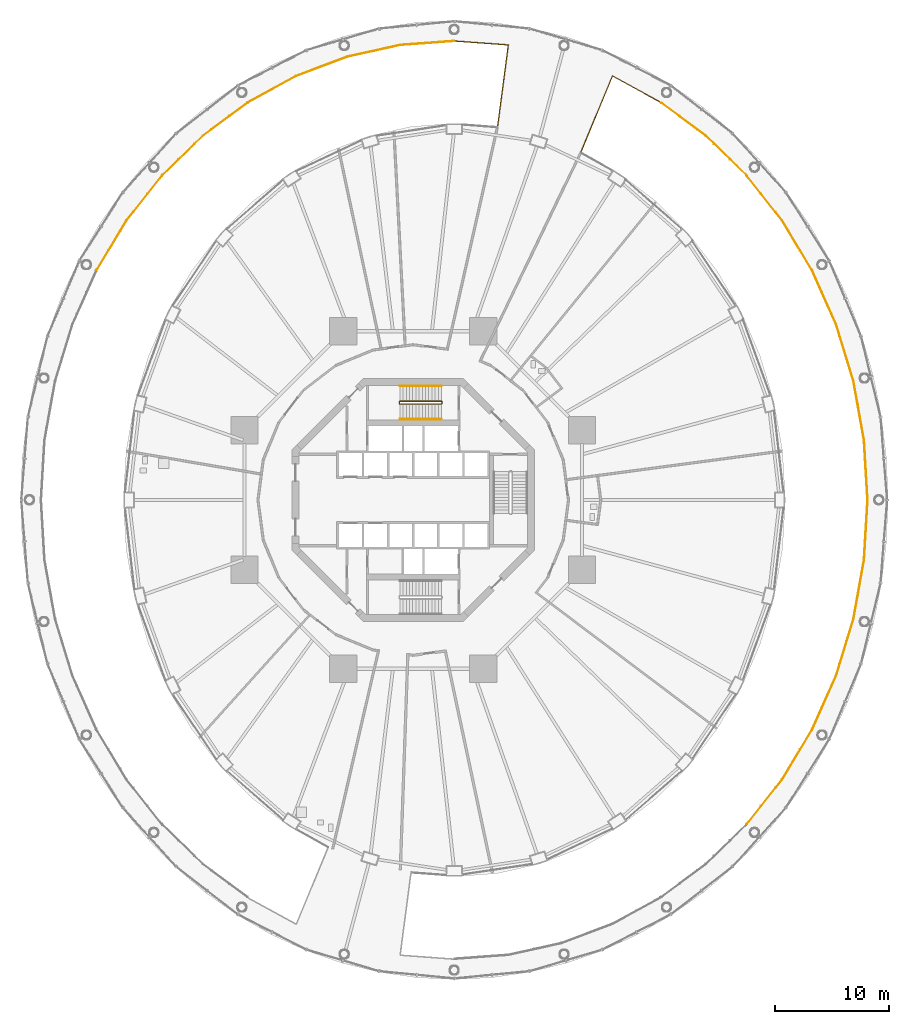
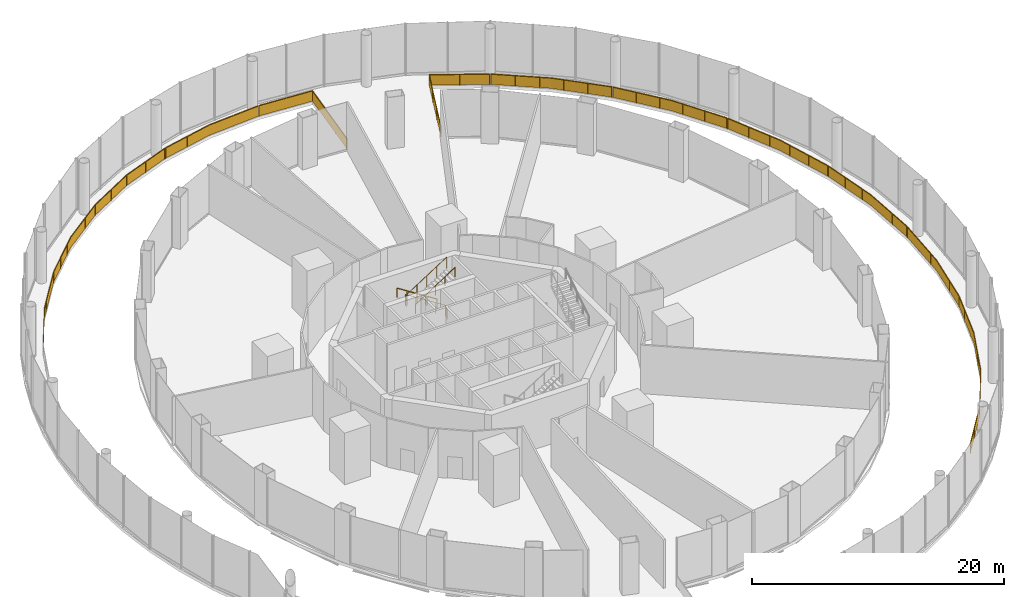
# One storey, part 46 of 47: 16 railings.
"""IFC4 building model written with IfcOpenShell, lengths in metres."""

from ifc_helpers import new_model, si_unit, direction, frame, origin, origin_2d, place, context, subcontext, project, spatial, polyline, rectangle, circle, outline, extrude, material, type_object, element, save


model = new_model("IFC4")

# Units and contexts
model_context = context("Model", 3, precision=1e-05, world=origin(), true_north=direction((0.0, 1.0)))
body_context = subcontext(model_context, "Body", "Model", "MODEL_VIEW")
ifc_project = project(units=[si_unit("LENGTHUNIT", "METRE"), si_unit("AREAUNIT", "SQUARE_METRE"), si_unit("VOLUMEUNIT", "CUBIC_METRE"), si_unit("PLANEANGLEUNIT", "RADIAN"), si_unit("MASSUNIT", "GRAM", prefix="KILO")], contexts=[model_context])

# Site, building, storey
site_placement = place(None, origin())
site = spatial("IfcSite", under=ifc_project, at=site_placement, CompositionType="ELEMENT")
building_placement = place(site_placement, origin())
building = spatial("IfcBuilding", under=site, at=building_placement, Name="Nagisa Residences", CompositionType="ELEMENT")
storey_placement = place(building_placement, frame((0.0, 0.0, 7.0)))
storey = spatial("IfcBuildingStorey", under=building, at=storey_placement, Name="L01", CompositionType="ELEMENT", Elevation=7.0)

# Railings
ifc_material_1 = material(Name="Stainless steel 316", Category="steel")
railing_type_1 = type_object("IfcRailingType", Name="ROOF GUARD 1100", PredefinedType="GUARDRAIL", material=ifc_material_1)
railing_1_placement = place(storey_placement, frame((7.390380859375, 32.75732421875, 0.0)))
element("IfcRailing", 1, at=railing_1_placement, inside=storey, type_object=railing_type_1, Name="guard:L01:gal0-00", PredefinedType="GUARDRAIL", context=body_context, shape_type="SweptSolid", body=[
    extrude(outline(polyline([(0.90625, 7.075927734375), (-0.02490234375, 0.003173828125), (0.02490234375, -0.003173828125), (0.962890625, 7.121826171875), (-3.748779296875, 7.464599609375), (-3.752197265625, 7.414794921875), (0.90625, 7.075927734375)])), frame((0.0, 0.0, 1.050048828125)), (0.0, 0.0, 1.0), 0.050048828125),
    extrude(outline(polyline([(0.9267578125, 7.092529296875), (-0.0068359375, 0.0009765625), (0.0068359375, -0.0009765625), (0.9423828125, 7.105224609375), (-3.75, 7.44677734375), (-3.7509765625, 7.4326171875), (0.9267578125, 7.092529296875)])), frame((0.0, 0.0, 0.06005859375)), (0.0, 0.0, 1.0), 0.989990234375),
    extrude(rectangle(XDim=0.0400390625, YDim=0.0400390625, at=origin_2d()), origin(), (0.0, 0.0, 1.0), 1.050048828125),
    extrude(rectangle(XDim=0.0400390625, YDim=0.0400390625, at=origin_2d()), frame((0.3095703125, 2.351318359375, 0.0)), (0.0, 0.0, 1.0), 1.050048828125),
    extrude(rectangle(XDim=0.0400390625, YDim=0.0400390625, at=origin_2d()), frame((0.619140625, 4.702392578125, 0.0)), (0.0, 0.0, 1.0), 1.050048828125),
    extrude(rectangle(XDim=0.0400390625, YDim=0.0400390625, at=origin_2d()), frame((0.9287109375, 7.0537109375, 0.0)), (0.0, 0.0, 1.0), 1.050048828125),
    extrude(rectangle(XDim=0.0400390625, YDim=0.0400390625, at=origin_2d()), frame((-1.38525390625, 7.267578125, 0.0)), (0.0, 0.0, 1.0), 1.050048828125),
    extrude(rectangle(XDim=0.0400390625, YDim=0.0400390625, at=origin_2d()), frame((-3.75048828125, 7.439697265625, 0.0)), (0.0, 0.0, 1.0), 1.050048828125),
])
railing_2_placement = place(storey_placement, frame((3.56005859375, 40.197021484375, 0.0)))
element("IfcRailing", 2, at=railing_2_placement, inside=storey, type_object=railing_type_1, Name="guard:L01:gal0-01", PredefinedType="GUARDRAIL", context=body_context, shape_type="SweptSolid", body=[
    extrude(outline(polyline([(-4.681396484375, -0.36572265625), (0.001708984375, -0.02490234375), (-0.001708984375, 0.02490234375), (-4.688720703125, -0.31591796875), (-9.295654296875, -1.333740234375), (-9.284912109375, -1.382568359375), (-4.681396484375, -0.36572265625)])), frame((0.0, 0.0, 1.050048828125)), (0.0, 0.0, 1.0), 0.050048828125),
    extrude(outline(polyline([(-4.68408203125, -0.34765625), (0.00048828125, -0.007080078125), (-0.00048828125, 0.007080078125), (-4.68603515625, -0.333984375), (-9.291748046875, -1.351318359375), (-9.288818359375, -1.364990234375), (-4.68408203125, -0.34765625)])), frame((0.0, 0.0, 0.06005859375)), (0.0, 0.0, 1.0), 0.989990234375),
    extrude(rectangle(XDim=0.0400390625, YDim=0.0400390625, at=origin_2d()), origin(), (0.0, 0.0, 1.0), 1.050048828125),
    extrude(rectangle(XDim=0.0400390625, YDim=0.0400390625, at=origin_2d()), frame((-2.34716796875, -0.170654296875, 0.0)), (0.0, 0.0, 1.0), 1.050048828125),
    extrude(rectangle(XDim=0.0400390625, YDim=0.0400390625, at=origin_2d()), frame((-4.6943359375, -0.3427734375, 0.0)), (0.0, 0.0, 1.0), 1.050048828125),
    extrude(rectangle(XDim=0.0400390625, YDim=0.0400390625, at=origin_2d()), frame((-6.9921875, -0.8505859375, 0.0)), (0.0, 0.0, 1.0), 1.050048828125),
    extrude(rectangle(XDim=0.0400390625, YDim=0.0400390625, at=origin_2d()), frame((-9.290283203125, -1.358154296875, 0.0)), (0.0, 0.0, 1.0), 1.050048828125),
])
railing_3_placement = place(storey_placement, frame((-5.806640625, 38.816162109375, 0.0)))
element("IfcRailing", 3, at=railing_3_placement, inside=storey, type_object=railing_type_1, Name="guard:L01:gal0-02", PredefinedType="GUARDRAIL", context=body_context, shape_type="SweptSolid", body=[
    extrude(outline(polyline([(-4.43603515625, -1.698974609375), (0.0087890625, -0.0234375), (-0.0087890625, 0.0234375), (-4.45703125, -1.653564453125), (-8.670166015625, -3.960693359375), (-8.646240234375, -4.004638671875), (-4.43603515625, -1.698974609375)])), frame((0.0, 0.0, 1.050048828125)), (0.0, 0.0, 1.0), 0.050048828125),
    extrude(outline(polyline([(-4.443603515625, -1.6826171875), (0.00244140625, -0.006591796875), (-0.00244140625, 0.006591796875), (-4.449462890625, -1.669921875), (-8.66162109375, -3.9765625), (-8.65478515625, -3.98876953125), (-4.443603515625, -1.6826171875)])), frame((0.0, 0.0, 0.06005859375)), (0.0, 0.0, 1.0), 0.989990234375),
    extrude(rectangle(XDim=0.0400390625, YDim=0.0400390625, at=origin_2d()), origin(), (0.0, 0.0, 1.0), 1.050048828125),
    extrude(rectangle(XDim=0.0400390625, YDim=0.0400390625, at=origin_2d()), frame((-2.23486328125, -0.842529296875, 0.0)), (0.0, 0.0, 1.0), 1.050048828125),
    extrude(rectangle(XDim=0.0400390625, YDim=0.0400390625, at=origin_2d()), frame((-4.468505859375, -1.688232421875, 0.0)), (0.0, 0.0, 1.0), 1.050048828125),
    extrude(rectangle(XDim=0.0400390625, YDim=0.0400390625, at=origin_2d()), frame((-6.563232421875, -2.83544921875, 0.0)), (0.0, 0.0, 1.0), 1.050048828125),
    extrude(rectangle(XDim=0.0400390625, YDim=0.0400390625, at=origin_2d()), frame((-8.658203125, -3.982666015625, 0.0)), (0.0, 0.0, 1.0), 1.050048828125),
])
railing_4_placement = place(storey_placement, frame((-14.5322265625, 34.790283203125, 0.0)))
element("IfcRailing", 4, at=railing_4_placement, inside=storey, type_object=railing_type_1, Name="guard:L01:gal0-03", PredefinedType="GUARDRAIL", context=body_context, shape_type="SweptSolid", body=[
    extrude(outline(polyline([(-3.888671875, -2.91650390625), (0.014892578125, -0.02001953125), (-0.014892578125, 0.02001953125), (-3.92138671875, -2.87841796875), (-7.453857421875, -6.31884765625), (-7.418701171875, -6.3544921875), (-3.888671875, -2.91650390625)])), frame((0.0, 0.0, 1.050048828125)), (0.0, 0.0, 1.0), 0.050048828125),
    extrude(outline(polyline([(-3.900390625, -2.90283203125), (0.004150390625, -0.005615234375), (-0.004150390625, 0.005615234375), (-3.90966796875, -2.89208984375), (-7.441162109375, -6.33154296875), (-7.431396484375, -6.341796875), (-3.900390625, -2.90283203125)])), frame((0.0, 0.0, 0.06005859375)), (0.0, 0.0, 1.0), 0.989990234375),
    extrude(rectangle(XDim=0.0400390625, YDim=0.0400390625, at=origin_2d()), origin(), (0.0, 0.0, 1.0), 1.050048828125),
    extrude(rectangle(XDim=0.0400390625, YDim=0.0400390625, at=origin_2d()), frame((-1.57275390625, -1.1669921875, 0.0)), (0.0, 0.0, 1.0), 1.050048828125),
    extrude(rectangle(XDim=0.0400390625, YDim=0.0400390625, at=origin_2d()), frame((-3.1455078125, -2.333984375, 0.0)), (0.0, 0.0, 1.0), 1.050048828125),
    extrude(rectangle(XDim=0.0400390625, YDim=0.0400390625, at=origin_2d()), frame((-4.63037109375, -3.60400390625, 0.0)), (0.0, 0.0, 1.0), 1.050048828125),
    extrude(rectangle(XDim=0.0400390625, YDim=0.0400390625, at=origin_2d()), frame((-6.033447265625, -4.97021484375, 0.0)), (0.0, 0.0, 1.0), 1.050048828125),
    extrude(rectangle(XDim=0.0400390625, YDim=0.0400390625, at=origin_2d()), frame((-7.436279296875, -6.336669921875, 0.0)), (0.0, 0.0, 1.0), 1.050048828125),
])
railing_5_placement = place(storey_placement, frame((-22.02197265625, 28.394287109375, 0.0)))
element("IfcRailing", 5, at=railing_5_placement, inside=storey, type_object=railing_type_1, Name="guard:L01:gal0-04", PredefinedType="GUARDRAIL", context=body_context, shape_type="SweptSolid", body=[
    extrude(outline(polyline([(-3.076904296875, -3.936279296875), (0.01953125, -0.015625), (-0.01953125, 0.015625), (-3.117919921875, -3.907958984375), (-5.72900390625, -8.2470703125), (-5.68603515625, -8.27294921875), (-3.076904296875, -3.936279296875)])), frame((0.0, 0.0, 1.050048828125)), (0.0, 0.0, 1.0), 0.050048828125),
    extrude(outline(polyline([(-3.091552734375, -3.926025390625), (0.005615234375, -0.00439453125), (-0.005615234375, 0.00439453125), (-3.103271484375, -3.918212890625), (-5.713623046875, -8.25634765625), (-5.701416015625, -8.263671875), (-3.091552734375, -3.926025390625)])), frame((0.0, 0.0, 0.06005859375)), (0.0, 0.0, 1.0), 0.989990234375),
    extrude(rectangle(XDim=0.0400390625, YDim=0.0400390625, at=origin_2d()), origin(), (0.0, 0.0, 1.0), 1.050048828125),
    extrude(rectangle(XDim=0.0400390625, YDim=0.0400390625, at=origin_2d()), frame((-1.2470703125, -1.5791015625, 0.0)), (0.0, 0.0, 1.0), 1.050048828125),
    extrude(rectangle(XDim=0.0400390625, YDim=0.0400390625, at=origin_2d()), frame((-2.494140625, -3.157958984375, 0.0)), (0.0, 0.0, 1.0), 1.050048828125),
    extrude(rectangle(XDim=0.0400390625, YDim=0.0400390625, at=origin_2d()), frame((-3.6328125, -4.81201171875, 0.0)), (0.0, 0.0, 1.0), 1.050048828125),
    extrude(rectangle(XDim=0.0400390625, YDim=0.0400390625, at=origin_2d()), frame((-4.670166015625, -6.535888671875, 0.0)), (0.0, 0.0, 1.0), 1.050048828125),
    extrude(rectangle(XDim=0.0400390625, YDim=0.0400390625, at=origin_2d()), frame((-5.70751953125, -8.260009765625, 0.0)), (0.0, 0.0, 1.0), 1.050048828125),
])
railing_6_placement = place(storey_placement, frame((29.22216796875, -28.394287109375, 0.0)))
element("IfcRailing", 6, at=railing_6_placement, inside=storey, type_object=railing_type_1, Name="guard:L01:gal1-04", PredefinedType="GUARDRAIL", context=body_context, shape_type="SweptSolid", body=[
    extrude(outline(polyline([(3.07666015625, 3.936279296875), (-0.01953125, 0.015625), (0.01953125, -0.015625), (3.11767578125, 3.907958984375), (5.728759765625, 8.2470703125), (5.685791015625, 8.27294921875), (3.07666015625, 3.936279296875)])), frame((0.0, 0.0, 1.050048828125)), (0.0, 0.0, 1.0), 0.050048828125),
    extrude(outline(polyline([(3.09130859375, 3.926025390625), (-0.005615234375, 0.00439453125), (0.005615234375, -0.00439453125), (3.10302734375, 3.918212890625), (5.71337890625, 8.25634765625), (5.701171875, 8.263671875), (3.09130859375, 3.926025390625)])), frame((0.0, 0.0, 0.06005859375)), (0.0, 0.0, 1.0), 0.989990234375),
    extrude(rectangle(XDim=0.0400390625, YDim=0.0400390625, at=origin_2d()), origin(), (0.0, 0.0, 1.0), 1.050048828125),
    extrude(rectangle(XDim=0.0400390625, YDim=0.0400390625, at=origin_2d()), frame((1.246826171875, 1.5791015625, 0.0)), (0.0, 0.0, 1.0), 1.050048828125),
    extrude(rectangle(XDim=0.0400390625, YDim=0.0400390625, at=origin_2d()), frame((2.493896484375, 3.158203125, 0.0)), (0.0, 0.0, 1.0), 1.050048828125),
    extrude(rectangle(XDim=0.0400390625, YDim=0.0400390625, at=origin_2d()), frame((3.632568359375, 4.81201171875, 0.0)), (0.0, 0.0, 1.0), 1.050048828125),
    extrude(rectangle(XDim=0.0400390625, YDim=0.0400390625, at=origin_2d()), frame((4.669921875, 6.535888671875, 0.0)), (0.0, 0.0, 1.0), 1.050048828125),
    extrude(rectangle(XDim=0.0400390625, YDim=0.0400390625, at=origin_2d()), frame((5.707275390625, 8.260009765625, 0.0)), (0.0, 0.0, 1.0), 1.050048828125),
])
railing_7_placement = place(storey_placement, frame((34.96630859375, -20.0634765625, 0.0)))
element("IfcRailing", 7, at=railing_7_placement, inside=storey, type_object=railing_type_1, Name="guard:L01:gal1-05", PredefinedType="GUARDRAIL", context=body_context, shape_type="SweptSolid", body=[
    extrude(outline(polyline([(2.0546875, 4.6884765625), (-0.02294921875, 0.01025390625), (0.02294921875, -0.01025390625), (2.1015625, 4.6708984375), (3.612548828125, 9.61328125), (3.564697265625, 9.6279296875), (2.0546875, 4.6884765625)])), frame((0.0, 0.0, 1.050048828125)), (0.0, 0.0, 1.0), 0.050048828125),
    extrude(outline(polyline([(2.071533203125, 4.68212890625), (-0.00634765625, 0.0029296875), (0.00634765625, -0.0029296875), (2.084716796875, 4.67724609375), (3.59521484375, 9.61865234375), (3.58203125, 9.62255859375), (2.071533203125, 4.68212890625)])), frame((0.0, 0.0, 0.06005859375)), (0.0, 0.0, 1.0), 0.989990234375),
    extrude(rectangle(XDim=0.0400390625, YDim=0.0400390625, at=origin_2d()), origin(), (0.0, 0.0, 1.0), 1.050048828125),
    extrude(rectangle(XDim=0.0400390625, YDim=0.0400390625, at=origin_2d()), frame((0.8349609375, 1.88037109375, 0.0)), (0.0, 0.0, 1.0), 1.050048828125),
    extrude(rectangle(XDim=0.0400390625, YDim=0.0400390625, at=origin_2d()), frame((1.669921875, 3.7607421875, 0.0)), (0.0, 0.0, 1.0), 1.050048828125),
    extrude(rectangle(XDim=0.0400390625, YDim=0.0400390625, at=origin_2d()), frame((2.3857421875, 5.685546875, 0.0)), (0.0, 0.0, 1.0), 1.050048828125),
    extrude(rectangle(XDim=0.0400390625, YDim=0.0400390625, at=origin_2d()), frame((2.987060546875, 7.653076171875, 0.0)), (0.0, 0.0, 1.0), 1.050048828125),
    extrude(rectangle(XDim=0.0400390625, YDim=0.0400390625, at=origin_2d()), frame((3.588623046875, 9.62060546875, 0.0)), (0.0, 0.0, 1.0), 1.050048828125),
])
railing_8_placement = place(storey_placement, frame((38.573486328125, -10.365234375, 0.0)))
element("IfcRailing", 8, at=railing_8_placement, inside=storey, type_object=railing_type_1, Name="guard:L01:gal1-06", PredefinedType="GUARDRAIL", context=body_context, shape_type="SweptSolid", body=[
    extrude(outline(polyline([(0.891845703125, 5.12109375), (-0.024658203125, 0.00439453125), (0.024658203125, -0.00439453125), (0.941650390625, 5.115234375), (1.2490234375, 10.32373046875), (1.19921875, 10.32666015625), (0.891845703125, 5.12109375)])), frame((0.0, 0.0, 1.050048828125)), (0.0, 0.0, 1.0), 0.050048828125),
    extrude(outline(polyline([(0.90966796875, 5.118896484375), (-0.0068359375, 0.001220703125), (0.0068359375, -0.001220703125), (0.923828125, 5.117431640625), (1.231201171875, 10.32470703125), (1.217041015625, 10.32568359375), (0.90966796875, 5.118896484375)])), frame((0.0, 0.0, 0.06005859375)), (0.0, 0.0, 1.0), 0.989990234375),
    extrude(rectangle(XDim=0.0400390625, YDim=0.0400390625, at=origin_2d()), origin(), (0.0, 0.0, 1.0), 1.050048828125),
    extrude(rectangle(XDim=0.0400390625, YDim=0.0400390625, at=origin_2d()), frame((0.3671875, 2.050537109375, 0.0)), (0.0, 0.0, 1.0), 1.050048828125),
    extrude(rectangle(XDim=0.0400390625, YDim=0.0400390625, at=origin_2d()), frame((0.734619140625, 4.10107421875, 0.0)), (0.0, 0.0, 1.0), 1.050048828125),
    extrude(rectangle(XDim=0.0400390625, YDim=0.0400390625, at=origin_2d()), frame((0.978515625, 6.166259765625, 0.0)), (0.0, 0.0, 1.0), 1.050048828125),
    extrude(rectangle(XDim=0.0400390625, YDim=0.0400390625, at=origin_2d()), frame((1.101318359375, 8.24560546875, 0.0)), (0.0, 0.0, 1.0), 1.050048828125),
    extrude(rectangle(XDim=0.0400390625, YDim=0.0400390625, at=origin_2d()), frame((1.22412109375, 10.3251953125, 0.0)), (0.0, 0.0, 1.0), 1.050048828125),
])
railing_9_placement = place(storey_placement, frame((39.797607421875, 0.0400390625, 0.0)))
element("IfcRailing", 9, at=railing_9_placement, inside=storey, type_object=railing_type_1, Name="guard:L01:gal1-07", PredefinedType="GUARDRAIL", context=body_context, shape_type="SweptSolid", body=[
    extrude(outline(polyline([(-0.332275390625, 5.2041015625), (-0.02490234375, -0.00146484375), (0.02490234375, 0.00146484375), (-0.282470703125, 5.2099609375), (-1.199462890625, 10.32958984375), (-1.248779296875, 10.32080078125), (-0.332275390625, 5.2041015625)])), frame((0.0, 0.0, 1.050048828125)), (0.0, 0.0, 1.0), 0.050048828125),
    extrude(outline(polyline([(-0.314453125, 5.206298828125), (-0.007080078125, -0.00048828125), (0.007080078125, 0.00048828125), (-0.30029296875, 5.207763671875), (-1.21728515625, 10.326416015625), (-1.23095703125, 10.323974609375), (-0.314453125, 5.206298828125)])), frame((0.0, 0.0, 0.06005859375)), (0.0, 0.0, 1.0), 0.989990234375),
    extrude(rectangle(XDim=0.0400390625, YDim=0.0400390625, at=origin_2d()), origin(), (0.0, 0.0, 1.0), 1.050048828125),
    extrude(rectangle(XDim=0.0400390625, YDim=0.0400390625, at=origin_2d()), frame((-0.122802734375, 2.07958984375, 0.0)), (0.0, 0.0, 1.0), 1.050048828125),
    extrude(rectangle(XDim=0.0400390625, YDim=0.0400390625, at=origin_2d()), frame((-0.24560546875, 4.158935546875, 0.0)), (0.0, 0.0, 1.0), 1.050048828125),
    extrude(rectangle(XDim=0.0400390625, YDim=0.0400390625, at=origin_2d()), frame((-0.489501953125, 6.22412109375, 0.0)), (0.0, 0.0, 1.0), 1.050048828125),
    extrude(rectangle(XDim=0.0400390625, YDim=0.0400390625, at=origin_2d()), frame((-0.85693359375, 8.274658203125, 0.0)), (0.0, 0.0, 1.0), 1.050048828125),
    extrude(rectangle(XDim=0.0400390625, YDim=0.0400390625, at=origin_2d()), frame((-1.22412109375, 10.3251953125, 0.0)), (0.0, 0.0, 1.0), 1.050048828125),
])
railing_10_placement = place(storey_placement, frame((38.554931640625, 10.44287109375, 0.0)))
element("IfcRailing", 10, at=railing_10_placement, inside=storey, type_object=railing_type_1, Name="guard:L01:gal1-08", PredefinedType="GUARDRAIL", context=body_context, shape_type="SweptSolid", body=[
    extrude(outline(polyline([(-1.533935546875, 4.93212890625), (-0.02392578125, -0.00732421875), (0.02392578125, 0.00732421875), (-1.487060546875, 4.94970703125), (-3.565673828125, 9.630859375), (-3.611572265625, 9.6103515625), (-1.533935546875, 4.93212890625)])), frame((0.0, 0.0, 1.050048828125)), (0.0, 0.0, 1.0), 0.050048828125),
    extrude(outline(polyline([(-1.51708984375, 4.9384765625), (-0.006591796875, -0.001953125), (0.006591796875, 0.001953125), (-1.50390625, 4.943359375), (-3.582275390625, 9.62353515625), (-3.594970703125, 9.61767578125), (-1.51708984375, 4.9384765625)])), frame((0.0, 0.0, 0.06005859375)), (0.0, 0.0, 1.0), 0.989990234375),
    extrude(rectangle(XDim=0.0400390625, YDim=0.0400390625, at=origin_2d()), origin(), (0.0, 0.0, 1.0), 1.050048828125),
    extrude(rectangle(XDim=0.0400390625, YDim=0.0400390625, at=origin_2d()), frame((-0.6015625, 1.967529296875, 0.0)), (0.0, 0.0, 1.0), 1.050048828125),
    extrude(rectangle(XDim=0.0400390625, YDim=0.0400390625, at=origin_2d()), frame((-1.202880859375, 3.93505859375, 0.0)), (0.0, 0.0, 1.0), 1.050048828125),
    extrude(rectangle(XDim=0.0400390625, YDim=0.0400390625, at=origin_2d()), frame((-1.918701171875, 5.85986328125, 0.0)), (0.0, 0.0, 1.0), 1.050048828125),
    extrude(rectangle(XDim=0.0400390625, YDim=0.0400390625, at=origin_2d()), frame((-2.753662109375, 7.740234375, 0.0)), (0.0, 0.0, 1.0), 1.050048828125),
    extrude(rectangle(XDim=0.0400390625, YDim=0.0400390625, at=origin_2d()), frame((-3.588623046875, 9.62060546875, 0.0)), (0.0, 0.0, 1.0), 1.050048828125),
])
railing_11_placement = place(storey_placement, frame((34.929443359375, 20.13427734375, 0.0)))
element("IfcRailing", 11, at=railing_11_placement, inside=storey, type_object=railing_type_1, Name="guard:L01:gal1-09", PredefinedType="GUARDRAIL", context=body_context, shape_type="SweptSolid", body=[
    extrude(outline(polyline([(-2.630615234375, 4.32373046875), (-0.021484375, -0.012939453125), (0.021484375, 0.012939453125), (-2.589599609375, 4.35205078125), (-5.687744140625, 8.275634765625), (-5.726806640625, 8.244384765625), (-2.630615234375, 4.32373046875)])), frame((0.0, 0.0, 1.050048828125)), (0.0, 0.0, 1.0), 0.050048828125),
    extrude(outline(polyline([(-2.615966796875, 4.333984375), (-0.006103515625, -0.003662109375), (0.006103515625, 0.003662109375), (-2.604248046875, 4.341796875), (-5.70166015625, 8.264404296875), (-5.712890625, 8.255615234375), (-2.615966796875, 4.333984375)])), frame((0.0, 0.0, 0.06005859375)), (0.0, 0.0, 1.0), 0.989990234375),
    extrude(rectangle(XDim=0.0400390625, YDim=0.0400390625, at=origin_2d()), origin(), (0.0, 0.0, 1.0), 1.050048828125),
    extrude(rectangle(XDim=0.0400390625, YDim=0.0400390625, at=origin_2d()), frame((-1.037353515625, 1.72412109375, 0.0)), (0.0, 0.0, 1.0), 1.050048828125),
    extrude(rectangle(XDim=0.0400390625, YDim=0.0400390625, at=origin_2d()), frame((-2.07470703125, 3.447998046875, 0.0)), (0.0, 0.0, 1.0), 1.050048828125),
    extrude(rectangle(XDim=0.0400390625, YDim=0.0400390625, at=origin_2d()), frame((-3.21337890625, 5.101806640625, 0.0)), (0.0, 0.0, 1.0), 1.050048828125),
    extrude(rectangle(XDim=0.0400390625, YDim=0.0400390625, at=origin_2d()), frame((-4.46044921875, 6.680908203125, 0.0)), (0.0, 0.0, 1.0), 1.050048828125),
    extrude(rectangle(XDim=0.0400390625, YDim=0.0400390625, at=origin_2d()), frame((-5.707275390625, 8.260009765625, 0.0)), (0.0, 0.0, 1.0), 1.050048828125),
])
railing_12_placement = place(storey_placement, frame((29.168701171875, 28.45361328125, 0.0)))
element("IfcRailing", 12, at=railing_12_placement, inside=storey, type_object=railing_type_1, Name="guard:L01:gal1-10", PredefinedType="GUARDRAIL", context=body_context, shape_type="SweptSolid", body=[
    extrude(outline(polyline([(-3.5478515625, 3.420166015625), (-0.017578125, -0.017822265625), (0.017578125, 0.017822265625), (-3.51513671875, 3.458251953125), (-7.421630859375, 6.356689453125), (-7.451416015625, 6.316650390625), (-3.5478515625, 3.420166015625)])), frame((0.0, 0.0, 1.050048828125)), (0.0, 0.0, 1.0), 0.050048828125),
    extrude(outline(polyline([(-3.5361328125, 3.433837890625), (-0.0048828125, -0.005126953125), (0.0048828125, 0.005126953125), (-3.52685546875, 3.444580078125), (-7.432373046875, 6.34228515625), (-7.440673828125, 6.3310546875), (-3.5361328125, 3.433837890625)])), frame((0.0, 0.0, 0.06005859375)), (0.0, 0.0, 1.0), 0.989990234375),
    extrude(rectangle(XDim=0.0400390625, YDim=0.0400390625, at=origin_2d()), origin(), (0.0, 0.0, 1.0), 1.050048828125),
    extrude(rectangle(XDim=0.0400390625, YDim=0.0400390625, at=origin_2d()), frame((-1.403076171875, 1.366455078125, 0.0)), (0.0, 0.0, 1.0), 1.050048828125),
    extrude(rectangle(XDim=0.0400390625, YDim=0.0400390625, at=origin_2d()), frame((-2.805908203125, 2.732666015625, 0.0)), (0.0, 0.0, 1.0), 1.050048828125),
    extrude(rectangle(XDim=0.0400390625, YDim=0.0400390625, at=origin_2d()), frame((-4.291015625, 4.002685546875, 0.0)), (0.0, 0.0, 1.0), 1.050048828125),
    extrude(rectangle(XDim=0.0400390625, YDim=0.0400390625, at=origin_2d()), frame((-5.86376953125, 5.169677734375, 0.0)), (0.0, 0.0, 1.0), 1.050048828125),
    extrude(rectangle(XDim=0.0400390625, YDim=0.0400390625, at=origin_2d()), frame((-7.4365234375, 6.336669921875, 0.0)), (0.0, 0.0, 1.0), 1.050048828125),
])
railing_13_placement = place(storey_placement, frame((21.664794921875, 34.83349609375, 0.0)))
element("IfcRailing", 13, at=railing_13_placement, inside=storey, type_object=railing_type_1, Name="guard:L01:gal1-11", PredefinedType="GUARDRAIL", context=body_context, shape_type="SweptSolid", body=[
    extrude(outline(polyline([(-4.19921875, 2.27099609375), (-0.011962890625, -0.02197265625), (0.011962890625, 0.02197265625), (-4.22412109375, 2.341796875), (-6.974853515625, -4.299072265625), (-6.928466796875, -4.318115234375), (-4.19921875, 2.27099609375)])), frame((0.0, 0.0, 1.050048828125)), (0.0, 0.0, 1.0), 0.050048828125),
    extrude(outline(polyline([(-4.208251953125, 2.296630859375), (-0.00341796875, -0.006103515625), (0.00341796875, 0.006103515625), (-4.215087890625, 2.316162109375), (-6.9580078125, -4.305908203125), (-6.9453125, -4.311279296875), (-4.208251953125, 2.296630859375)])), frame((0.0, 0.0, 0.06005859375)), (0.0, 0.0, 1.0), 0.989990234375),
    extrude(rectangle(XDim=0.0400390625, YDim=0.0400390625, at=origin_2d()), origin(), (0.0, 0.0, 1.0), 1.050048828125),
    extrude(rectangle(XDim=0.0400390625, YDim=0.0400390625, at=origin_2d()), frame((-2.098388671875, 1.149169921875, 0.0)), (0.0, 0.0, 1.0), 1.050048828125),
    extrude(rectangle(XDim=0.0400390625, YDim=0.0400390625, at=origin_2d()), frame((-4.19677734375, 2.298095703125, 0.0)), (0.0, 0.0, 1.0), 1.050048828125),
    extrude(rectangle(XDim=0.0400390625, YDim=0.0400390625, at=origin_2d()), frame((-5.12060546875, 0.11181640625, 0.0)), (0.0, 0.0, 1.0), 1.050048828125),
    extrude(rectangle(XDim=0.0400390625, YDim=0.0400390625, at=origin_2d()), frame((-6.0361328125, -2.098388671875, 0.0)), (0.0, 0.0, 1.0), 1.050048828125),
    extrude(rectangle(XDim=0.0400390625, YDim=0.0400390625, at=origin_2d()), frame((-6.95166015625, -4.30859375, 0.0)), (0.0, 0.0, 1.0), 1.050048828125),
])
ifc_material_2 = material(Name="Stainless steel", Category="steel")
railing_type_2 = type_object("IfcRailingType", Name="Stair guard 1100", PredefinedType="GUARDRAIL", material=ifc_material_2)
railing_14_placement = place(storey_placement, frame((2.52490234375, 8.44970703125, 0.0)))
element("IfcRailing", 14, at=railing_14_placement, inside=storey, type_object=railing_type_2, Name="L01 ST-N stair guard 1", PredefinedType="GUARDRAIL", context=body_context, shape_type="SweptSolid", body=[
    extrude(circle(Radius=0.02392578125, at=origin_2d()), frame((0.0, 0.0, 1.076171875), z_axis=(0.0, 1.0, 0.0), x_axis=(-1.0, 0.0, 0.0)), (0.0, 0.0, 1.0), 0.14990234375),
    extrude(circle(Radius=0.02392578125, at=origin_2d()), frame((0.0, 0.14990234375, 1.076171875), z_axis=(-0.25949872427, 0.26077077684, 0.929870428634), x_axis=(-0.708833529934, -0.705375805398, 0.0)), (0.0, 0.0, 1.0), 0.19189453125),
    extrude(circle(Radius=0.02392578125, at=origin_2d()), frame((-0.0498046875, 0.199951171875, 1.25439453125), z_axis=(-0.843127859045, 0.0, 0.537713132908), x_axis=(0.0, -1.0, 0.0)), (0.0, 0.0, 1.0), 4.3173828125),
    extrude(circle(Radius=0.02392578125, at=origin_2d()), frame((-3.68994140625, 0.199951171875, 3.576171875), z_axis=(-0.707106781187, -0.707106781187, 0.0), x_axis=(0.707106781187, -0.707106781187, 0.0)), (0.0, 0.0, 1.0), 0.07080078125),
    extrude(circle(Radius=0.02392578125, at=origin_2d()), frame((-3.739990234375, 0.14990234375, 3.576171875), z_axis=(0.0, -1.0, 0.0), x_axis=(1.0, 0.0, 0.0)), (0.0, 0.0, 1.0), 0.14990234375),
    extrude(circle(Radius=0.02392578125, at=origin_2d()), frame((-3.739990234375, 0.0, 3.576171875), z_axis=(0.260684529273, -0.260684529273, 0.929562882432), x_axis=(0.707106781187, 0.707106781187, 0.0)), (0.0, 0.0, 1.0), 0.19189453125),
    extrude(circle(Radius=0.02392578125, at=origin_2d()), frame((-3.68994140625, -0.050048828125, 3.75439453125), z_axis=(0.843127859045, 0.0, 0.537713132908), x_axis=(0.0, 1.0, 0.0)), (0.0, 0.0, 1.0), 4.3173828125),
    extrude(circle(Radius=0.02099609375, at=origin_2d()), origin(), (0.0, 0.0, 1.0), 1.052001953125),
    extrude(circle(Radius=0.02099609375, at=origin_2d()), frame((0.0, 0.14990234375, 0.0)), (0.0, 0.0, 1.0), 1.052001953125),
    extrude(circle(Radius=0.02099609375, at=origin_2d()), frame((-0.0498046875, 0.199951171875, 0.178466796875)), (0.0, 0.0, 1.0), 1.052001953125),
    extrude(circle(Radius=0.02099609375, at=origin_2d()), frame((-0.9599609375, 0.199951171875, 0.7587890625)), (0.0, 0.0, 1.0), 1.052001953125),
    extrude(circle(Radius=0.02099609375, at=origin_2d()), frame((-1.869873046875, 0.199951171875, 1.33935546875)), (0.0, 0.0, 1.0), 1.052001953125),
    extrude(circle(Radius=0.02099609375, at=origin_2d()), frame((-2.77978515625, 0.199951171875, 1.919677734375)), (0.0, 0.0, 1.0), 1.052001953125),
    extrude(circle(Radius=0.02099609375, at=origin_2d()), frame((-3.68994140625, 0.199951171875, 2.5)), (0.0, 0.0, 1.0), 1.052001953125),
    extrude(circle(Radius=0.02099609375, at=origin_2d()), frame((-3.739990234375, 0.14990234375, 2.5)), (0.0, 0.0, 1.0), 1.052001953125),
    extrude(circle(Radius=0.02099609375, at=origin_2d()), frame((-3.739990234375, 0.0, 2.5)), (0.0, 0.0, 1.0), 1.052001953125),
    extrude(circle(Radius=0.02099609375, at=origin_2d()), frame((-3.68994140625, -0.050048828125, 2.678466796875)), (0.0, 0.0, 1.0), 1.052001953125),
    extrude(circle(Radius=0.02099609375, at=origin_2d()), frame((-2.77978515625, -0.050048828125, 3.2587890625)), (0.0, 0.0, 1.0), 1.052001953125),
    extrude(circle(Radius=0.02099609375, at=origin_2d()), frame((-1.869873046875, -0.050048828125, 3.83935546875)), (0.0, 0.0, 1.0), 1.052001953125),
    extrude(circle(Radius=0.02099609375, at=origin_2d()), frame((-0.9599609375, -0.050048828125, 4.419677734375)), (0.0, 0.0, 1.0), 1.052001953125),
    extrude(circle(Radius=0.02099609375, at=origin_2d()), frame((-0.0498046875, -0.050048828125, 5.0)), (0.0, 0.0, 1.0), 1.052001953125),
])
ifc_material_3 = material(Name="Stainless steel", Category="steel")
railing_type_3 = type_object("IfcRailingType", Name="Stair handrail 900", PredefinedType="HANDRAIL", material=ifc_material_3)
railing_15_placement = place(storey_placement, frame((2.47509765625, 9.974609375, 0.178466796875)))
element("IfcRailing", 15, at=railing_15_placement, inside=storey, type_object=railing_type_3, Name="L01 ST-N stair handrail 1", PredefinedType="HANDRAIL", context=body_context, shape_type="SweptSolid", body=[
    extrude(circle(Radius=0.02392578125, at=origin_2d()), frame((0.0, 0.0, 0.8759765625), z_axis=(-0.843127859045, 0.0, 0.537713132908), x_axis=(0.0, -1.0, 0.0)), (0.0, 0.0, 1.0), 4.3173828125),
    extrude(circle(Radius=0.02099609375, at=origin_2d()), origin(), (0.0, 0.0, 1.0), 0.851806640625),
    extrude(circle(Radius=0.02099609375, at=origin_2d()), frame((-0.91015625, 0.0, 0.580322265625)), (0.0, 0.0, 1.0), 0.851806640625),
    extrude(circle(Radius=0.02099609375, at=origin_2d()), frame((-1.820068359375, 0.0, 1.16064453125)), (0.0, 0.0, 1.0), 0.851806640625),
    extrude(circle(Radius=0.02099609375, at=origin_2d()), frame((-2.72998046875, 0.0, 1.7412109375)), (0.0, 0.0, 1.0), 0.851806640625),
    extrude(circle(Radius=0.02099609375, at=origin_2d()), frame((-3.64013671875, 0.0, 2.321533203125)), (0.0, 0.0, 1.0), 0.851806640625),
])
railing_16_placement = place(storey_placement, frame((-1.1650390625, 7.07470703125, 2.678466796875)))
element("IfcRailing", 16, at=railing_16_placement, inside=storey, type_object=railing_type_3, Name="L01 ST-N stair handrail 2", PredefinedType="HANDRAIL", context=body_context, shape_type="SweptSolid", body=[
    extrude(circle(Radius=0.02392578125, at=origin_2d()), frame((0.0, 0.0, 0.8759765625), z_axis=(0.843127859045, 0.0, 0.537713132908), x_axis=(0.0, 1.0, 0.0)), (0.0, 0.0, 1.0), 4.3173828125),
    extrude(circle(Radius=0.02099609375, at=origin_2d()), origin(), (0.0, 0.0, 1.0), 0.851806640625),
    extrude(circle(Radius=0.02099609375, at=origin_2d()), frame((0.91015625, 0.0, 0.580322265625)), (0.0, 0.0, 1.0), 0.851806640625),
    extrude(circle(Radius=0.02099609375, at=origin_2d()), frame((1.820068359375, 0.0, 1.16064453125)), (0.0, 0.0, 1.0), 0.851806640625),
    extrude(circle(Radius=0.02099609375, at=origin_2d()), frame((2.72998046875, 0.0, 1.7412109375)), (0.0, 0.0, 1.0), 0.851806640625),
    extrude(circle(Radius=0.02099609375, at=origin_2d()), frame((3.64013671875, 0.0, 2.321533203125)), (0.0, 0.0, 1.0), 0.851806640625),
])

save(model, "model.ifc")
